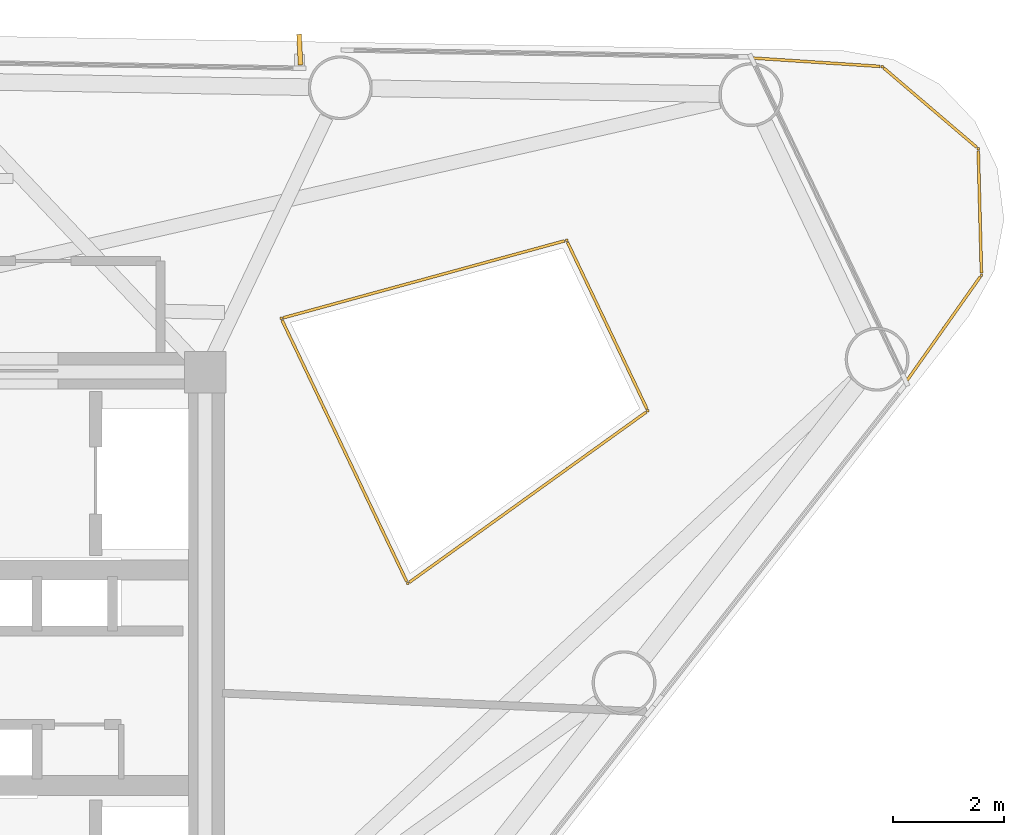
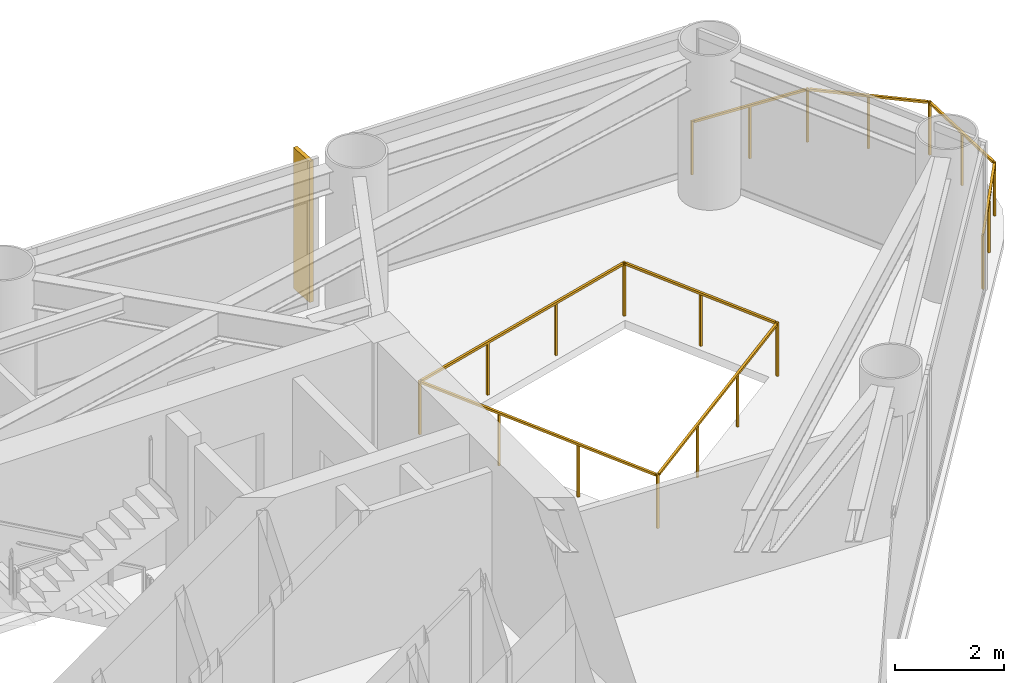
# One storey, part 9 of 9: 2 railings, 1 shading device.
"""IFC4 building model written with IfcOpenShell, lengths in metres."""

from ifc_helpers import new_model, si_unit, direction, frame, origin, origin_2d, place, context, subcontext, project, spatial, rectangle, extrude, source, transform, mapped, material, material_profile, profile_set, type_object, element, save


model = new_model("IFC4")

# Units and contexts
model_context = context("Model", 3, precision=1e-05, world=origin(), true_north=direction((0.0, 1.0)))
body_context = subcontext(model_context, "Body", "Model", "MODEL_VIEW")
ifc_project = project(units=[si_unit("LENGTHUNIT", "METRE"), si_unit("AREAUNIT", "SQUARE_METRE"), si_unit("VOLUMEUNIT", "CUBIC_METRE"), si_unit("PLANEANGLEUNIT", "RADIAN"), si_unit("MASSUNIT", "GRAM", prefix="KILO")], contexts=[model_context])

# Site, building, storey
site_placement = place(None, origin())
site = spatial("IfcSite", under=ifc_project, at=site_placement, CompositionType="ELEMENT")
building_placement = place(site_placement, origin())
building = spatial("IfcBuilding", under=site, at=building_placement, Name="Yunling Apex Tower", CompositionType="ELEMENT")
storey_placement = place(building_placement, frame((0.0, 0.0, 198.35009765625)))
storey = spatial("IfcBuildingStorey", under=building, at=storey_placement, Name="L48", CompositionType="ELEMENT", Elevation=198.35009765625)

# Railings
ifc_material = material(Name="Bronze anodised aluminium", Category="aluminium")
railing_type = type_object("IfcRailingType", Name="RL-BAL-1200", PredefinedType="BALUSTRADE", material=ifc_material)
railing_1_placement = place(storey_placement, frame((15.8828125, 11.15380859375, 0.0)))
element("IfcRailing", 1, at=railing_1_placement, inside=storey, type_object=railing_type, Name="RL-CRNSILL-L48-1", PredefinedType="BALUSTRADE", context=body_context, shape_type="SweptSolid", body=[
    extrude(rectangle(XDim=0.0439453125, YDim=0.0439453125, at=origin_2d()), origin(), (0.0, 0.0, 1.0), 1.199951171875),
    extrude(rectangle(XDim=0.0439453125, YDim=0.0439453125, at=origin_2d()), frame((2.349365234375, -0.154541015625, 0.0)), (0.0, 0.0, 1.0), 1.199951171875),
    extrude(rectangle(XDim=0.050048828125, YDim=0.050048828125, at=origin_2d()), frame((0.038330078125, -0.00244140625, 1.1748046875), z_axis=(0.997843498088, -0.065638047832, 0.0), x_axis=(0.065638047832, 0.997843498088, 0.0)), (0.0, 0.0, 1.0), 2.27783203125),
    extrude(rectangle(XDim=0.0439453125, YDim=0.0439453125, at=origin_2d()), frame((1.1748046875, -0.0771484375, 0.0)), (0.0, 0.0, 1.0), 1.14599609375),
    extrude(rectangle(XDim=0.0439453125, YDim=0.0439453125, at=origin_2d()), frame((4.080322265625, -1.6318359375, 0.0)), (0.0, 0.0, 1.0), 1.199951171875),
    extrude(rectangle(XDim=0.050048828125, YDim=0.050048828125, at=origin_2d()), frame((2.37841796875, -0.179443359375, 1.1748046875), z_axis=(0.760640732553, -0.6491730709, 0.0), x_axis=(0.6491730709, 0.760640732553, 0.0)), (0.0, 0.0, 1.0), 2.198974609375),
    extrude(rectangle(XDim=0.0439453125, YDim=0.0439453125, at=origin_2d()), frame((3.21484375, -0.89306640625, 0.0)), (0.0, 0.0, 1.0), 1.14599609375),
    extrude(rectangle(XDim=0.0439453125, YDim=0.0439453125, at=origin_2d()), frame((4.138916015625, -3.90673828125, 0.0)), (0.0, 0.0, 1.0), 1.199951171875),
    extrude(rectangle(XDim=0.050048828125, YDim=0.050048828125, at=origin_2d()), frame((4.081298828125, -1.670166015625, 1.1748046875), z_axis=(0.025748060881, -0.999668463722, 0.0), x_axis=(0.999668463722, 0.025748060881, 0.0)), (0.0, 0.0, 1.0), 2.198974609375),
    extrude(rectangle(XDim=0.0439453125, YDim=0.0439453125, at=origin_2d()), frame((4.109619140625, -2.769287109375, 0.0)), (0.0, 0.0, 1.0), 1.14599609375),
    extrude(rectangle(XDim=0.0439453125, YDim=0.0439453125, at=origin_2d()), frame((2.78076171875, -5.829833984375, 0.0)), (0.0, 0.0, 1.0), 1.199951171875),
    extrude(rectangle(XDim=0.050048828125, YDim=0.050048828125, at=origin_2d()), frame((4.11669921875, -3.93798828125, 1.1748046875), z_axis=(-0.57687453298, -0.81683276942, 0.0), x_axis=(0.81683276942, -0.57687453298, 0.0)), (0.0, 0.0, 1.0), 2.277587890625),
    extrude(rectangle(XDim=0.0439453125, YDim=0.0439453125, at=origin_2d()), frame((3.4599609375, -4.8681640625, 0.0)), (0.0, 0.0, 1.0), 1.14599609375),
])
railing_2_placement = place(storey_placement, frame((7.41845703125, 6.46728515625, 0.0)))
element("IfcRailing", 2, at=railing_2_placement, inside=storey, type_object=railing_type, Name="RL-TATR-L48", PredefinedType="BALUSTRADE", context=body_context, shape_type="SweptSolid", body=[
    extrude(rectangle(XDim=0.0439453125, YDim=0.0439453125, at=origin_2d()), origin(), (0.0, 0.0, 1.0), 1.199951171875),
    extrude(rectangle(XDim=0.0439453125, YDim=0.0439453125, at=origin_2d()), frame((5.135498046875, 1.404541015625, 0.0)), (0.0, 0.0, 1.0), 1.199951171875),
    extrude(rectangle(XDim=0.050048828125, YDim=0.050048828125, at=origin_2d()), frame((0.036865234375, 0.010009765625, 1.1748046875), z_axis=(0.964575212807, 0.263807996162, 0.0), x_axis=(-0.263807996162, 0.964575212807, 0.0)), (0.0, 0.0, 1.0), 5.24755859375),
    extrude(rectangle(XDim=0.0439453125, YDim=0.0439453125, at=origin_2d()), frame((1.7119140625, 0.46826171875, 0.0)), (0.0, 0.0, 1.0), 1.14599609375),
    extrude(rectangle(XDim=0.0439453125, YDim=0.0439453125, at=origin_2d()), frame((3.423583984375, 0.936279296875, 0.0)), (0.0, 0.0, 1.0), 1.14599609375),
    extrude(rectangle(XDim=0.0439453125, YDim=0.0439453125, at=origin_2d()), frame((6.599609375, -1.664794921875, 0.0)), (0.0, 0.0, 1.0), 1.199951171875),
    extrude(rectangle(XDim=0.050048828125, YDim=0.050048828125, at=origin_2d()), frame((5.152099609375, 1.369873046875, 1.1748046875), z_axis=(0.430538211034, -0.902572351028, 0.0), x_axis=(0.902572351028, 0.430538211034, 0.0)), (0.0, 0.0, 1.0), 3.323974609375),
    extrude(rectangle(XDim=0.0439453125, YDim=0.0439453125, at=origin_2d()), frame((5.86767578125, -0.130126953125, 0.0)), (0.0, 0.0, 1.0), 1.14599609375),
    extrude(rectangle(XDim=0.0439453125, YDim=0.0439453125, at=origin_2d()), frame((2.276123046875, -4.77197265625, 0.0)), (0.0, 0.0, 1.0), 1.199951171875),
    extrude(rectangle(XDim=0.050048828125, YDim=0.050048828125, at=origin_2d()), frame((6.568603515625, -1.687255859375, 1.1748046875), z_axis=(-0.812044572196, -0.583595418733, 0.0), x_axis=(0.583595418733, -0.812044572196, 0.0)), (0.0, 0.0, 1.0), 5.24755859375),
    extrude(rectangle(XDim=0.0439453125, YDim=0.0439453125, at=origin_2d()), frame((5.158447265625, -2.700439453125, 0.0)), (0.0, 0.0, 1.0), 1.14599609375),
    extrude(rectangle(XDim=0.0439453125, YDim=0.0439453125, at=origin_2d()), frame((3.71728515625, -3.736328125, 0.0)), (0.0, 0.0, 1.0), 1.14599609375),
    extrude(rectangle(XDim=0.050048828125, YDim=0.050048828125, at=origin_2d()), frame((2.259521484375, -4.7373046875, 1.1748046875), z_axis=(-0.430512460038, 0.902584634121, 0.0), x_axis=(-0.902584634121, -0.430512460038, 0.0)), (0.0, 0.0, 1.0), 5.21044921875),
    extrude(rectangle(XDim=0.0439453125, YDim=0.0439453125, at=origin_2d()), frame((1.517333984375, -3.181396484375, 0.0)), (0.0, 0.0, 1.0), 1.14599609375),
    extrude(rectangle(XDim=0.0439453125, YDim=0.0439453125, at=origin_2d()), frame((0.7587890625, -1.590576171875, 0.0)), (0.0, 0.0, 1.0), 1.14599609375),
])

# Shading device
ifc_material_profile = material_profile(ifc_material, rectangle(XDim=0.0849609375, YDim=0.550048828125, at=origin_2d()))
ifc_profile_set = profile_set([ifc_material_profile], Name="Bronze anodised aluminium")
shading_device_type = type_object("IfcShadingDeviceType", Name="FN-BRZ-3", PredefinedType="USERDEFINED", material=ifc_profile_set)
shared_shape = source(origin(), body_context, "Body", "SweptSolid", [
    extrude(rectangle(XDim=0.0849609375, YDim=0.550048828125, at=origin_2d()), origin(), (0.0, 0.0, 1.0), 3.14990234375),
])
shading_device_placement = place(storey_placement, frame((7.75341796875, 11.30517578125, 0.06005859375), z_axis=(0.0, 0.0, 1.0), x_axis=(-0.998814648022, -0.048675444496, 0.0)))
element("IfcShadingDevice", 3, at=shading_device_placement, inside=storey, type_object=shading_device_type, Name="CW-L48-F2-B2-FIN-01", ObjectType="FIN", PredefinedType="USERDEFINED", context=body_context, shape_type="MappedRepresentation", body=[
    mapped(shared_shape, transform((0.0, 0.0, 0.0), scale=1.0)),
])

save(model, "model.ifc")
